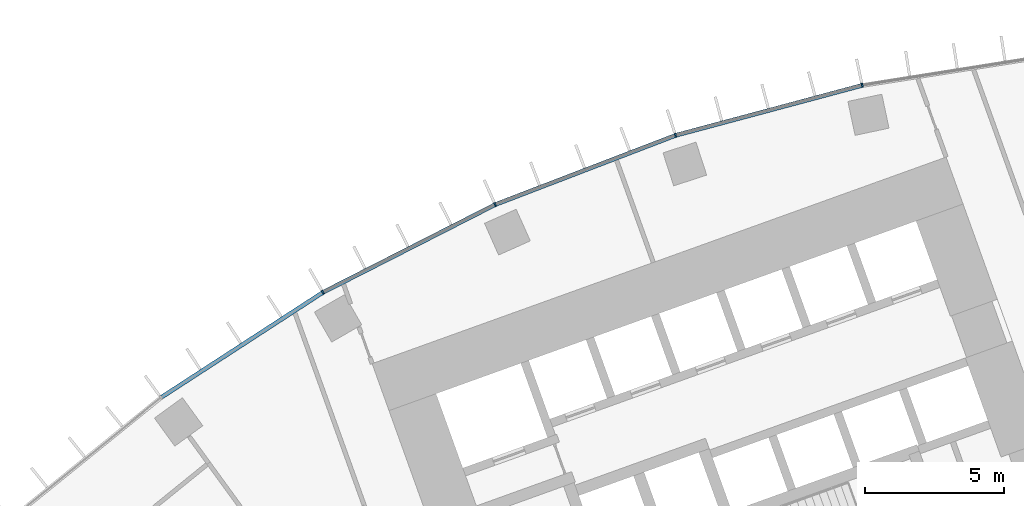
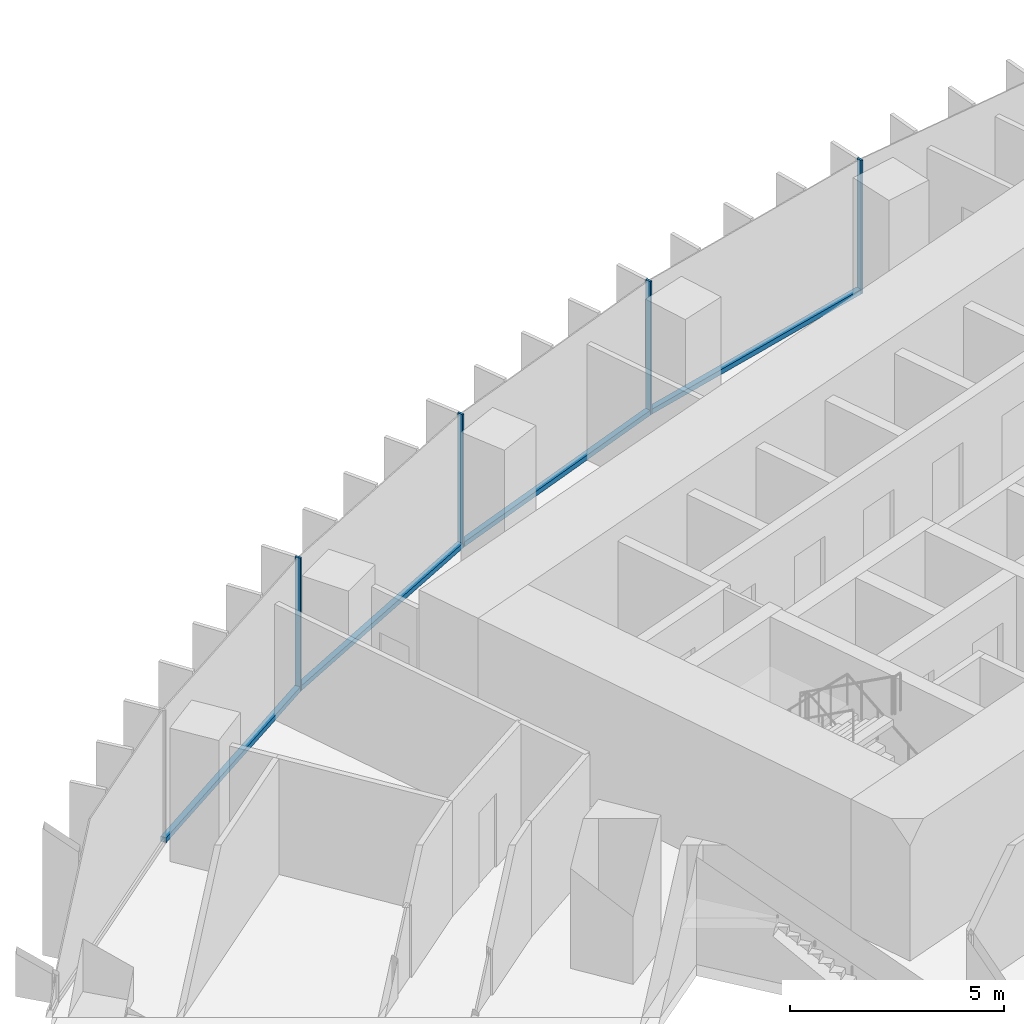
# One storey, part 7 of 24: 8 members, 1 element without a shape of its own.
"""IFC4 building model written with IfcOpenShell, lengths in metres."""

from ifc_helpers import new_model, si_unit, direction, frame, origin, origin_2d, place, context, subcontext, project, spatial, rectangle, extrude, material, layer, layer_set, material_profile, profile_set, type_object, element, aggregate, save


model = new_model("IFC4")

# Units and contexts
model_context = context("Model", 3, precision=1e-05, world=origin(), true_north=direction((0.0, 1.0)))
body_context = subcontext(model_context, "Body", "Model", "MODEL_VIEW")
ifc_project = project(units=[si_unit("LENGTHUNIT", "METRE"), si_unit("AREAUNIT", "SQUARE_METRE"), si_unit("VOLUMEUNIT", "CUBIC_METRE"), si_unit("PLANEANGLEUNIT", "RADIAN"), si_unit("MASSUNIT", "GRAM", prefix="KILO")], contexts=[model_context])

# Site, building, storey
site_placement = place(None, origin())
site = spatial("IfcSite", under=ifc_project, at=site_placement, CompositionType="ELEMENT")
building_placement = place(site_placement, origin())
building = spatial("IfcBuilding", under=site, at=building_placement, Name="Stone Belt Terrace Tower", CompositionType="ELEMENT")
storey_placement = place(building_placement, frame((0.0, 0.0, 75.60009765625)))
storey = spatial("IfcBuildingStorey", under=building, at=storey_placement, Name="L18", CompositionType="ELEMENT", Elevation=75.60009765625)

# Curtain wall, members
ifc_material = material(Name="Aluminium 6063-T6 anodised frame", Category="aluminium")
ifc_layer = layer(ifc_material, 0.14990234375)
ifc_layer_set = layer_set([ifc_layer], Name="CW-A unitised convex-face curtain wall")
curtain_wall_type = type_object("IfcCurtainWallType", Name="CW-A unitised convex-face curtain wall", PredefinedType="NOTDEFINED", material=ifc_layer_set)
curtain_wall_placement = place(storey_placement, origin())
curtain_wall = element("IfcCurtainWall", 1, at=curtain_wall_placement, inside=storey, type_object=curtain_wall_type, Name="CW-A convex face L18", PredefinedType="NOTDEFINED")
ifc_material_profile_1 = material_profile(ifc_material, rectangle(XDim=0.14990234375, YDim=0.06005859375, at=origin_2d()), Name="Aluminium 6063-T6 60x150")
ifc_profile_set_1 = profile_set([ifc_material_profile_1], Name="Aluminium 6063-T6 anodised frame")
member_type_1 = type_object("IfcMemberType", Name="CW-A mullion 60 x 150", PredefinedType="MULLION", material=ifc_profile_set_1)
member_1_placement = place(storey_placement, frame((-13.841796875, 65.120361328125, 0.0), z_axis=(0.0, 0.0, 1.0), x_axis=(0.207911690818, -0.978147600734, 0.0)))
member_1 = element("IfcMember", 2, at=member_1_placement, type_object=member_type_1, Name="CW-A mullion 11", PredefinedType="MULLION", context=body_context, shape_type="SweptSolid", body=[
    extrude(rectangle(XDim=0.14990234375, YDim=0.06005859375, at=origin_2d()), origin(), (0.0, 0.0, 1.0), 3.7998046875),
])
member_2_placement = place(storey_placement, frame((-20.57275390625, 63.316650390625, 0.0), z_axis=(0.0, 0.0, 1.0), x_axis=(0.309016994375, -0.951056516295, 0.0)))
member_2 = element("IfcMember", 3, at=member_2_placement, type_object=member_type_1, Name="CW-A mullion 12", PredefinedType="MULLION", context=body_context, shape_type="SweptSolid", body=[
    extrude(rectangle(XDim=0.14990234375, YDim=0.06005859375, at=origin_2d()), origin(), (0.0, 0.0, 1.0), 3.7998046875),
])
member_3_placement = place(storey_placement, frame((-27.07861328125, 60.8193359375, 0.0), z_axis=(0.0, 0.0, 1.0), x_axis=(0.406736643076, -0.913545457643, 0.0)))
member_3 = element("IfcMember", 4, at=member_3_placement, type_object=member_type_1, Name="CW-A mullion 13", PredefinedType="MULLION", context=body_context, shape_type="SweptSolid", body=[
    extrude(rectangle(XDim=0.14990234375, YDim=0.06005859375, at=origin_2d()), origin(), (0.0, 0.0, 1.0), 3.7998046875),
])
member_4_placement = place(storey_placement, frame((-33.28759765625, 57.65576171875, 0.0), z_axis=(0.0, 0.0, 1.0), x_axis=(0.5, -0.866025403784, 0.0)))
member_4 = element("IfcMember", 5, at=member_4_placement, type_object=member_type_1, Name="CW-A mullion 14", PredefinedType="MULLION", context=body_context, shape_type="SweptSolid", body=[
    extrude(rectangle(XDim=0.14990234375, YDim=0.06005859375, at=origin_2d()), origin(), (0.0, 0.0, 1.0), 3.7998046875),
])
ifc_material_profile_2 = material_profile(ifc_material, rectangle(XDim=0.14990234375, YDim=0.139892578125, at=origin_2d()), Name="Aluminium 6063-T6 150x140")
ifc_profile_set_2 = profile_set([ifc_material_profile_2], Name="Aluminium 6063-T6 anodised frame")
member_type_2 = type_object("IfcMemberType", Name="CW-A transom 140 x 150", PredefinedType="USERDEFINED", material=ifc_profile_set_2)
member_5_placement = place(storey_placement, frame((-13.87451171875, 65.111572265625, 0.06982421875), z_axis=(-0.965921835863, -0.258833937117, 0.0), x_axis=(0.258833937117, -0.965921835863, 0.0)))
member_5 = element("IfcMember", 6, at=member_5_placement, type_object=member_type_2, Name="CW-A transom 11.1", ObjectType="TRANSOM", PredefinedType="USERDEFINED", context=body_context, shape_type="SweptSolid", body=[
    extrude(rectangle(XDim=0.14990234375, YDim=0.139892578125, at=origin_2d()), origin(), (0.0, 0.0, 1.0), 6.900634765625),
])
member_6_placement = place(storey_placement, frame((-20.6044921875, 63.304443359375, 0.06982421875), z_axis=(-0.933585210269, -0.358355487146, 0.0), x_axis=(0.358355487146, -0.933585210269, 0.0)))
member_6 = element("IfcMember", 7, at=member_6_placement, type_object=member_type_2, Name="CW-A transom 12.1", ObjectType="TRANSOM", PredefinedType="USERDEFINED", context=body_context, shape_type="SweptSolid", body=[
    extrude(rectangle(XDim=0.14990234375, YDim=0.139892578125, at=origin_2d()), origin(), (0.0, 0.0, 1.0), 6.900634765625),
])
member_7_placement = place(storey_placement, frame((-27.108642578125, 60.803955078125, 0.06982421875), z_axis=(-0.891012226264, -0.453979308613, 0.0), x_axis=(0.453979308613, -0.891012226264, 0.0)))
member_7 = element("IfcMember", 8, at=member_7_placement, type_object=member_type_2, Name="CW-A transom 13.1", ObjectType="TRANSOM", PredefinedType="USERDEFINED", context=body_context, shape_type="SweptSolid", body=[
    extrude(rectangle(XDim=0.14990234375, YDim=0.139892578125, at=origin_2d()), origin(), (0.0, 0.0, 1.0), 6.90087890625),
])
member_8_placement = place(storey_placement, frame((-33.31591796875, 57.63720703125, 0.06982421875), z_axis=(-0.83868440714, -0.544617723931, 0.0), x_axis=(0.544617723931, -0.83868440714, 0.0)))
member_8 = element("IfcMember", 9, at=member_8_placement, type_object=member_type_2, Name="CW-A transom 14.1", ObjectType="TRANSOM", PredefinedType="USERDEFINED", context=body_context, shape_type="SweptSolid", body=[
    extrude(rectangle(XDim=0.14990234375, YDim=0.139892578125, at=origin_2d()), origin(), (0.0, 0.0, 1.0), 6.90087890625),
])
aggregate(curtain_wall, [member_1, member_2, member_3, member_4, member_5, member_6, member_7, member_8])

save(model, "model.ifc")
